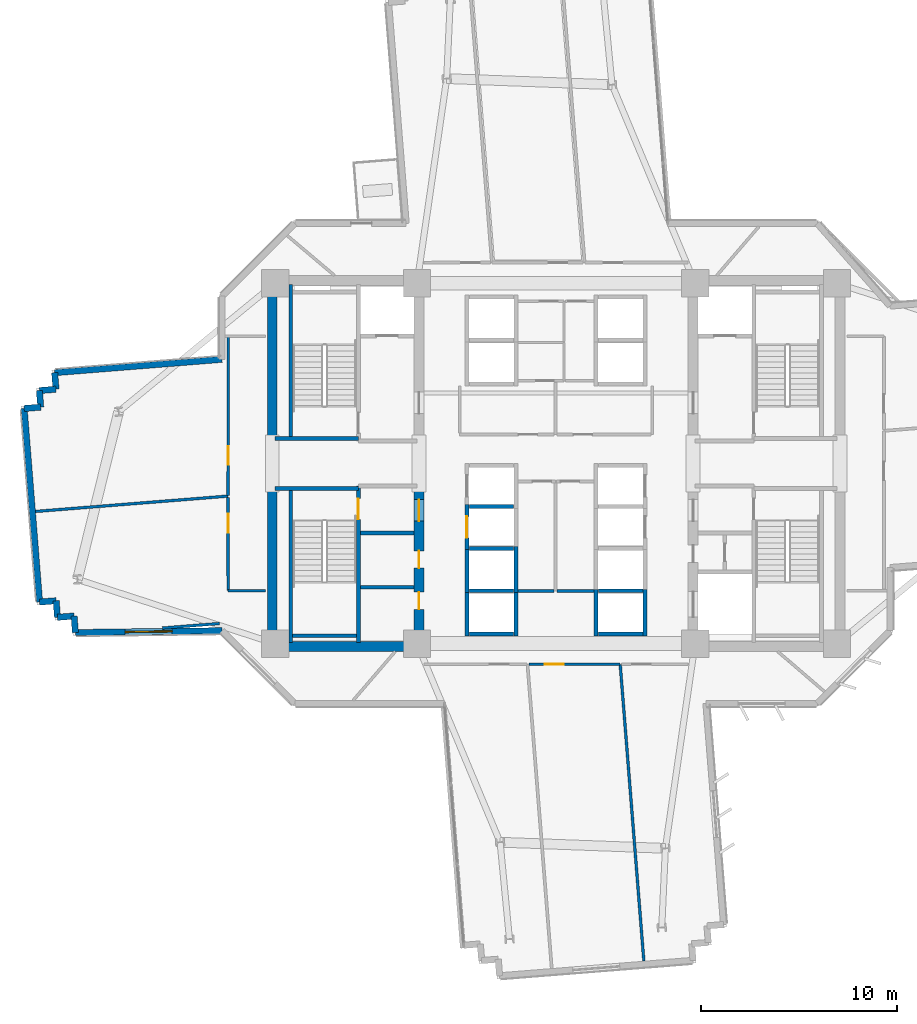
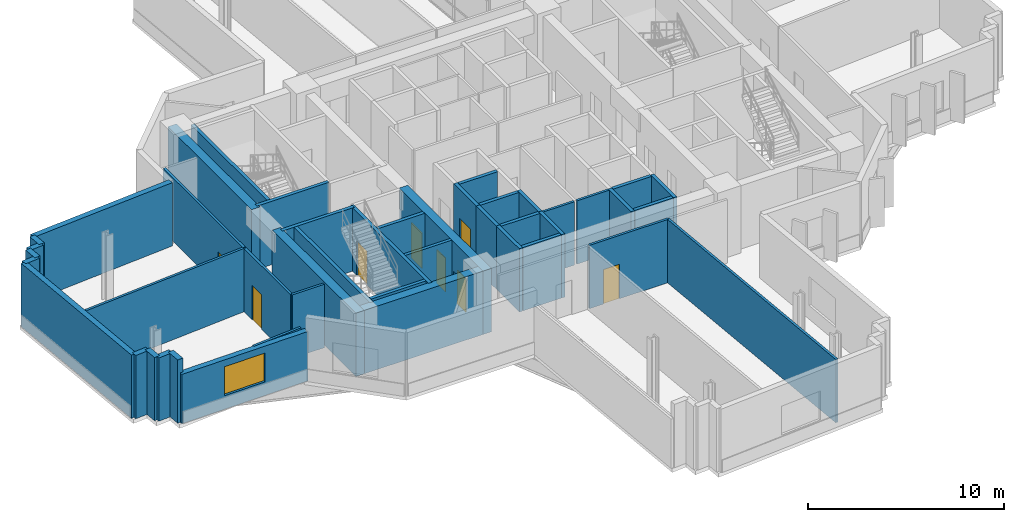
# One storey, part 6 of 15: 45 walls, 8 doors, 1 window, 9 openings.
"""IFC4 building model written with IfcOpenShell, lengths in metres."""

from ifc_helpers import new_model, si_unit, direction, frame, frame_2d, origin, place, context, subcontext, project, spatial, rectangle, extrude, source, transform, mapped, material, layer, layer_set, type_object, element, fill, save


model = new_model("IFC4")

# Units and contexts
model_context = context("Model", 3, precision=1e-05, world=origin(), true_north=direction((0.0, 1.0)))
body_context = subcontext(model_context, "Body", "Model", "MODEL_VIEW")
ifc_project = project(units=[si_unit("LENGTHUNIT", "METRE"), si_unit("AREAUNIT", "SQUARE_METRE"), si_unit("VOLUMEUNIT", "CUBIC_METRE"), si_unit("PLANEANGLEUNIT", "RADIAN"), si_unit("MASSUNIT", "GRAM", prefix="KILO")], contexts=[model_context])

# Site, building, storey
site_placement = place(None, origin())
site = spatial("IfcSite", under=ifc_project, at=site_placement, CompositionType="ELEMENT")
building_placement = place(site_placement, origin())
building = spatial("IfcBuilding", under=site, at=building_placement, Name="Zahravan Cultural Tower", CompositionType="ELEMENT")
storey_placement = place(building_placement, frame((0.0, 0.0, 87.89990234375)))
storey = spatial("IfcBuildingStorey", under=building, at=storey_placement, Name="L19", CompositionType="ELEMENT", Elevation=87.89990234375)

# Wall, openings, doors
ifc_material_1 = material(Name="Concrete C60/75", Category="concrete")
ifc_layer_1 = layer(ifc_material_1, 0.5)
ifc_layer_set_1 = layer_set([ifc_layer_1], Name="Concrete C60/75")
wall_type_1 = type_object("IfcWallType", Name="CW-SHEAR-500-C60", PredefinedType="SHEAR", material=ifc_layer_set_1)
wall_1_placement = place(storey_placement, frame((29.0, 17.39990234375, 0.0), z_axis=(0.0, 0.0, 1.0), x_axis=(0.0, 1.0, 0.0)))
wall_1 = element("IfcWall", 1, at=wall_1_placement, inside=storey, type_object=wall_type_1, Name="L19 Core Shear Wall CW-W-ES-L19", PredefinedType="SHEAR", context=body_context, shape_type="SweptSolid", body=[
    extrude(rectangle(XDim=8.550048828125, YDim=0.5, at=frame_2d((4.27490234375, 0.0))), origin(), (0.0, 0.0, 1.0), 3.9501953125),
])
opening_1_placement = place(wall_1_placement, frame((6.64990234375, 0.0, 0.0)))
opening_1 = element("IfcOpeningElement", 2, at=opening_1_placement, cuts=wall_1, Name="Opening D-L19-07", PredefinedType="OPENING", context=body_context, shape_type="SweptSolid", body=[
    extrude(rectangle(XDim=1.10009765625, YDim=2.199951171875, at=frame_2d((0.550048828125, 1.10009765625))), frame((0.0, 0.260009765625, 0.0), z_axis=(0.0, -1.0, 0.0), x_axis=(1.0, 0.0, 0.0)), (0.0, 0.0, 1.0), 0.52001953125),
])
opening_2_placement = place(wall_1_placement, frame((2.14990234375, 0.0, 0.0)))
opening_2 = element("IfcOpeningElement", 3, at=opening_2_placement, cuts=wall_1, Name="Opening D-L19-09", PredefinedType="OPENING", context=body_context, shape_type="SweptSolid", body=[
    extrude(rectangle(XDim=0.8798828125, YDim=2.10009765625, at=frame_2d((0.43994140625, 1.050048828125))), frame((0.0, 0.260009765625, 0.0), z_axis=(0.0, -1.0, 0.0), x_axis=(1.0, 0.0, 0.0)), (0.0, 0.0, 1.0), 0.52001953125),
])
opening_3_placement = place(wall_1_placement, frame((4.25, 0.0, 0.0)))
opening_3 = element("IfcOpeningElement", 4, at=opening_3_placement, cuts=wall_1, Name="Opening D-L19-10", PredefinedType="OPENING", context=body_context, shape_type="SweptSolid", body=[
    extrude(rectangle(XDim=0.8798828125, YDim=2.10009765625, at=frame_2d((0.43994140625, 1.050048828125))), frame((0.0, 0.260009765625, 0.0), z_axis=(0.0, -1.0, 0.0), x_axis=(1.0, 0.0, 0.0)), (0.0, 0.0, 1.0), 0.52001953125),
])
ifc_material_2 = material(Name="Steel ASTM A572 Grade 50", Category="steel")
door_type_1 = type_object("IfcDoorType", Name="DR-LOBBY-1100", OperationType="NOTDEFINED", PredefinedType="DOOR", material=ifc_material_2)
shared_shape_1 = source(origin(), body_context, "Body", "SweptSolid", [
    extrude(rectangle(XDim=1.10009765625, YDim=2.199951171875, at=frame_2d((0.550048828125, 1.10009765625))), frame((0.0, 0.02490234375, 0.0), z_axis=(0.0, -1.0, 0.0), x_axis=(1.0, 0.0, 0.0)), (0.0, 0.0, 1.0), 0.050048828125),
])
door_1_placement = place(opening_1_placement, origin())
door_1 = element("IfcDoor", 5, at=door_1_placement, inside=storey, type_object=door_type_1, Name="L19 Door D-L19-07", OperationType="SINGLE_SWING_LEFT", OverallHeight=2.199951171875, OverallWidth=1.10009765625, PredefinedType="DOOR", context=body_context, shape_type="MappedRepresentation", body=[
    mapped(shared_shape_1, transform((0.0, 0.0, 0.0), x_axis=(1.0, 0.0, 0.0), y_axis=(0.0, 1.0, 0.0), z_axis=(0.0, 0.0, 1.0), scale=1.0)),
])
fill(opening_1, door_1)
door_type_2 = type_object("IfcDoorType", Name="DR-SVC-880", OperationType="NOTDEFINED", PredefinedType="DOOR", material=ifc_material_2)
shared_shape_2 = source(origin(), body_context, "Body", "SweptSolid", [
    extrude(rectangle(XDim=0.8798828125, YDim=2.10009765625, at=frame_2d((0.43994140625, 1.050048828125))), frame((0.0, 0.02490234375, 0.0), z_axis=(0.0, -1.0, 0.0), x_axis=(1.0, 0.0, 0.0)), (0.0, 0.0, 1.0), 0.050048828125),
])
door_2_placement = place(opening_2_placement, origin())
door_2 = element("IfcDoor", 6, at=door_2_placement, inside=storey, type_object=door_type_2, Name="L19 Door D-L19-09", OperationType="SINGLE_SWING_LEFT", OverallHeight=2.10009765625, OverallWidth=0.8798828125, PredefinedType="DOOR", context=body_context, shape_type="MappedRepresentation", body=[
    mapped(shared_shape_2, transform((0.0, 0.0, 0.0), x_axis=(1.0, 0.0, 0.0), y_axis=(0.0, 1.0, 0.0), z_axis=(0.0, 0.0, 1.0), scale=1.0)),
])
fill(opening_2, door_2)
door_3_placement = place(opening_3_placement, origin())
door_3 = element("IfcDoor", 7, at=door_3_placement, inside=storey, type_object=door_type_2, Name="L19 Door D-L19-10", OperationType="SINGLE_SWING_RIGHT", OverallHeight=2.10009765625, OverallWidth=0.8798828125, PredefinedType="DOOR", context=body_context, shape_type="MappedRepresentation", body=[
    mapped(shared_shape_2, transform((0.0, 0.0, 0.0), x_axis=(1.0, 0.0, 0.0), y_axis=(0.0, 1.0, 0.0), z_axis=(0.0, 0.0, 1.0), scale=1.0)),
])
fill(opening_3, door_3)

# Wall, opening, window
ifc_material_3 = material(Name="Precast concrete C40/50", Category="concrete")
ifc_layer_2 = layer(ifc_material_3, 0.320068359375)
ifc_layer_set_2 = layer_set([ifc_layer_2], Name="Precast concrete C40/50")
wall_type_2 = type_object("IfcWallType", Name="EW-TC-320", PredefinedType="SOLIDWALL", material=ifc_layer_set_2)
wall_2_placement = place(storey_placement, frame((18.93994140625, 18.4580078125, 0.0), z_axis=(0.0, 0.0, 1.0), x_axis=(-0.999915877143, -0.012970683759, 0.0)))
wall_2 = element("IfcWall", 8, at=wall_2_placement, inside=storey, type_object=wall_type_2, Name="L19 Exterior Masonry Frame Wall 27", PredefinedType="SOLIDWALL", context=body_context, shape_type="SweptSolid", body=[
    extrude(rectangle(XDim=7.491455078125, YDim=0.320068359375, at=frame_2d((3.74560546875, 0.0))), origin(), (0.0, 0.0, 1.0), 3.080078125),
])
opening_4_placement = place(wall_2_placement, frame((2.5458984375, 0.0, 0.85009765625)))
opening_4 = element("IfcOpeningElement", 9, at=opening_4_placement, cuts=wall_2, Name="Opening WN-01", PredefinedType="OPENING", context=body_context, shape_type="SweptSolid", body=[
    extrude(rectangle(XDim=2.39990234375, YDim=1.800048828125, at=frame_2d((1.199951171875, 0.89990234375))), frame((0.0, 0.169921875, 0.0), z_axis=(0.0, -1.0, 0.0), x_axis=(1.0, 0.0, 0.0)), (0.0, 0.0, 1.0), 0.340087890625),
])
ifc_material_4 = material(Name="Low-E solar-control double glazing", Category="glass")
window_type = type_object("IfcWindowType", Name="WN-REC-2400X1800", PartitioningType="DOUBLE_PANEL_VERTICAL", PredefinedType="WINDOW", material=ifc_material_4)
shared_shape_3 = source(origin(), body_context, "Body", "SweptSolid", [
    extrude(rectangle(XDim=2.39990234375, YDim=1.800048828125, at=frame_2d((1.199951171875, 0.89990234375))), frame((0.0, 0.030029296875, 0.0), z_axis=(0.0, -1.0, 0.0), x_axis=(1.0, 0.0, 0.0)), (0.0, 0.0, 1.0), 0.06005859375),
])
window_placement = place(opening_4_placement, origin())
window = element("IfcWindow", 10, at=window_placement, inside=storey, type_object=window_type, Name="L19 Recessed Solar Window 08", OverallHeight=1.800048828125, OverallWidth=2.39990234375, PartitioningType="DOUBLE_PANEL_VERTICAL", PredefinedType="WINDOW", context=body_context, shape_type="MappedRepresentation", body=[
    mapped(shared_shape_3, transform((0.0, 0.0, 0.0), x_axis=(1.0, 0.0, 0.0), y_axis=(0.0, 1.0, 0.0), z_axis=(0.0, 0.0, 1.0), scale=1.0)),
])
fill(opening_4, window)

# Wall, opening, door
ifc_material_5 = material(Name="Gypsum plasterboard partition")
ifc_layer_3 = layer(ifc_material_5, 0.139892578125)
ifc_layer_set_3 = layer_set([ifc_layer_3], Name="Gypsum plasterboard partition")
wall_type_3 = type_object("IfcWallType", Name="W-PART-140", PredefinedType="PARTITIONING", material=ifc_layer_set_3)
wall_3_placement = place(storey_placement, frame((34.6162109375, 16.739990234375, 0.0), z_axis=(0.0, 0.0, 1.0), x_axis=(1.0, 0.0, 0.0)))
wall_3 = element("IfcWall", 11, at=wall_3_placement, inside=storey, type_object=wall_type_3, Name="L19 Interior Wall 089", PredefinedType="PARTITIONING", context=body_context, shape_type="SweptSolid", body=[
    extrude(rectangle(XDim=4.659912109375, YDim=0.139892578125, at=frame_2d((2.330078125, 0.0))), origin(), (0.0, 0.0, 1.0), 3.9501953125),
])
opening_5_placement = place(wall_3_placement, frame((0.816162109375, 0.0, 0.0)))
opening_5 = element("IfcOpeningElement", 12, at=opening_5_placement, cuts=wall_3, Name="Opening D-L19-27", PredefinedType="OPENING", context=body_context, shape_type="SweptSolid", body=[
    extrude(rectangle(XDim=0.949951171875, YDim=2.14990234375, at=frame_2d((0.47509765625, 1.074951171875))), frame((0.0, 0.079833984375, 0.0), z_axis=(0.0, -1.0, 0.0), x_axis=(1.0, 0.0, 0.0)), (0.0, 0.0, 1.0), 0.159912109375),
])
ifc_material_6 = material(Name="Anodised bronze-aluminium mullion", Category="aluminium")
door_type_3 = type_object("IfcDoorType", Name="DR-ROOM-950", OperationType="NOTDEFINED", PredefinedType="DOOR", material=ifc_material_6)
shared_shape_4 = source(origin(), body_context, "Body", "SweptSolid", [
    extrude(rectangle(XDim=0.949951171875, YDim=2.14990234375, at=frame_2d((0.47509765625, 1.074951171875))), frame((0.0, 0.02490234375, 0.0), z_axis=(0.0, -1.0, 0.0), x_axis=(1.0, 0.0, 0.0)), (0.0, 0.0, 1.0), 0.050048828125),
])
door_4_placement = place(opening_5_placement, origin())
door_4 = element("IfcDoor", 13, at=door_4_placement, inside=storey, type_object=door_type_3, Name="L19 Door D-L19-27", OperationType="SINGLE_SWING_LEFT", OverallHeight=2.14990234375, OverallWidth=0.949951171875, PredefinedType="DOOR", context=body_context, shape_type="MappedRepresentation", body=[
    mapped(shared_shape_4, transform((0.0, 0.0, 0.0), x_axis=(1.0, 0.0, 0.0), y_axis=(0.0, 1.0, 0.0), z_axis=(0.0, 0.0, 1.0), scale=1.0)),
])
fill(opening_5, door_4)

wall_4_placement = place(storey_placement, frame((19.25, 25.2578125, 0.0), z_axis=(0.0, 0.0, 1.0), x_axis=(0.000102701037, -0.999999994726, 0.0)))
wall_4 = element("IfcWall", 14, at=wall_4_placement, inside=storey, type_object=wall_type_3, Name="L19 Interior Wall 108", PredefinedType="PARTITIONING", context=body_context, shape_type="SweptSolid", body=[
    extrude(rectangle(XDim=4.75439453125, YDim=0.139892578125, at=frame_2d((2.377197265625, 0.0))), origin(), (0.0, 0.0, 1.0), 3.9501953125),
])
opening_6_placement = place(wall_4_placement, frame((0.8369140625, 0.0, 0.0)))
opening_6 = element("IfcOpeningElement", 15, at=opening_6_placement, cuts=wall_4, Name="Opening D-L19-25", PredefinedType="OPENING", context=body_context, shape_type="SweptSolid", body=[
    extrude(rectangle(XDim=0.949951171875, YDim=2.14990234375, at=frame_2d((0.47509765625, 1.074951171875))), frame((0.0, 0.079833984375, 0.0), z_axis=(0.0, -1.0, 0.0), x_axis=(1.0, 0.0, 0.0)), (0.0, 0.0, 1.0), 0.159912109375),
])
door_5_placement = place(opening_6_placement, origin())
door_5 = element("IfcDoor", 16, at=door_5_placement, inside=storey, type_object=door_type_3, Name="L19 Door D-L19-25", OperationType="SINGLE_SWING_LEFT", OverallHeight=2.14990234375, OverallWidth=0.949951171875, PredefinedType="DOOR", context=body_context, shape_type="MappedRepresentation", body=[
    mapped(shared_shape_4, transform((0.0, 0.0, 0.0), x_axis=(1.0, 0.0, 0.0), y_axis=(0.0, 1.0, 0.0), z_axis=(0.0, 0.0, 1.0), scale=1.0)),
])
fill(opening_6, door_5)

wall_5_placement = place(storey_placement, frame((19.252685546875, 33.497314453125, 0.0), z_axis=(0.0, 0.0, 1.0), x_axis=(-0.000329746078, -0.999999945634, 0.0)))
wall_5 = element("IfcWall", 17, at=wall_5_placement, inside=storey, type_object=wall_type_3, Name="L19 Interior Wall 110", PredefinedType="PARTITIONING", context=body_context, shape_type="SweptSolid", body=[
    extrude(rectangle(XDim=8.144287109375, YDim=0.139892578125, at=frame_2d((4.072265625, 0.0))), origin(), (0.0, 0.0, 1.0), 3.9501953125),
])
opening_7_placement = place(wall_5_placement, frame((5.611328125, 0.0, 0.0)))
opening_7 = element("IfcOpeningElement", 18, at=opening_7_placement, cuts=wall_5, Name="Opening D-L19-24", PredefinedType="OPENING", context=body_context, shape_type="SweptSolid", body=[
    extrude(rectangle(XDim=0.949951171875, YDim=2.14990234375, at=frame_2d((0.47509765625, 1.074951171875))), frame((0.0, 0.079833984375, 0.0), z_axis=(0.0, -1.0, 0.0), x_axis=(1.0, 0.0, 0.0)), (0.0, 0.0, 1.0), 0.159912109375),
])
door_6_placement = place(opening_7_placement, origin())
door_6 = element("IfcDoor", 19, at=door_6_placement, inside=storey, type_object=door_type_3, Name="L19 Door D-L19-24", OperationType="SINGLE_SWING_RIGHT", OverallHeight=2.14990234375, OverallWidth=0.949951171875, PredefinedType="DOOR", context=body_context, shape_type="MappedRepresentation", body=[
    mapped(shared_shape_4, transform((0.0, 0.0, 0.0), x_axis=(1.0, 0.0, 0.0), y_axis=(0.0, 1.0, 0.0), z_axis=(0.0, 0.0, 1.0), scale=1.0)),
])
fill(opening_7, door_6)

ifc_material_7 = material(Name="Concrete C45/55", Category="concrete")
ifc_layer_4 = layer(ifc_material_7, 0.199951171875)
ifc_layer_set_4 = layer_set([ifc_layer_4], Name="Concrete C45/55")
wall_type_4 = type_object("IfcWallType", Name="W-SHAFT-200", PredefinedType="SOLIDWALL", material=ifc_layer_set_4)
wall_6_placement = place(storey_placement, frame((25.89990234375, 17.85009765625, 0.0), z_axis=(0.0, 0.0, 1.0), x_axis=(0.0, 1.0, 0.0)))
wall_6 = element("IfcWall", 20, at=wall_6_placement, inside=storey, type_object=wall_type_4, Name="L19 Interior Wall 005", PredefinedType="SOLIDWALL", context=body_context, shape_type="SweptSolid", body=[
    extrude(rectangle(XDim=8.0, YDim=0.199951171875, at=frame_2d((4.0, 0.0))), origin(), (0.0, 0.0, 1.0), 3.9501953125),
])
opening_8_placement = place(wall_6_placement, frame((6.300048828125, 0.0, 0.0)))
opening_8 = element("IfcOpeningElement", 21, at=opening_8_placement, cuts=wall_6, Name="Opening D-L19-04", PredefinedType="OPENING", context=body_context, shape_type="SweptSolid", body=[
    extrude(rectangle(XDim=1.050048828125, YDim=2.14990234375, at=frame_2d((0.52490234375, 1.074951171875))), frame((0.0, 0.10986328125, 0.0), z_axis=(0.0, -1.0, 0.0), x_axis=(1.0, 0.0, 0.0)), (0.0, 0.0, 1.0), 0.219970703125),
])
door_type_4 = type_object("IfcDoorType", Name="DR-STAIR-1050", OperationType="NOTDEFINED", PredefinedType="DOOR", material=ifc_material_2)
shared_shape_5 = source(origin(), body_context, "Body", "SweptSolid", [
    extrude(rectangle(XDim=1.050048828125, YDim=2.14990234375, at=frame_2d((0.52490234375, 1.074951171875))), frame((0.0, 0.02490234375, 0.0), z_axis=(0.0, -1.0, 0.0), x_axis=(1.0, 0.0, 0.0)), (0.0, 0.0, 1.0), 0.050048828125),
])
door_7_placement = place(opening_8_placement, origin())
door_7 = element("IfcDoor", 22, at=door_7_placement, inside=storey, type_object=door_type_4, Name="L19 Door D-L19-04", OperationType="SINGLE_SWING_RIGHT", OverallHeight=2.14990234375, OverallWidth=1.050048828125, PredefinedType="DOOR", context=body_context, shape_type="MappedRepresentation", body=[
    mapped(shared_shape_5, transform((0.0, 0.0, 0.0), x_axis=(1.0, 0.0, 0.0), y_axis=(0.0, 1.0, 0.0), z_axis=(0.0, 0.0, 1.0), scale=1.0)),
])
fill(opening_8, door_7)

wall_7_placement = place(storey_placement, frame((31.449951171875, 22.60009765625, 0.0), z_axis=(0.0, 0.0, 1.0), x_axis=(0.0, 1.0, 0.0)))
wall_7 = element("IfcWall", 23, at=wall_7_placement, inside=storey, type_object=wall_type_4, Name="L19 Interior Wall 060", PredefinedType="SOLIDWALL", context=body_context, shape_type="SweptSolid", body=[
    extrude(rectangle(XDim=2.2998046875, YDim=0.199951171875, at=frame_2d((1.14990234375, 0.0))), origin(), (0.0, 0.0, 1.0), 3.9501953125),
])
opening_9_placement = place(wall_7_placement, frame((0.60009765625, 0.0, 0.0)))
opening_9 = element("IfcOpeningElement", 24, at=opening_9_placement, cuts=wall_7, Name="Opening LD-L19-05", PredefinedType="OPENING", context=body_context, shape_type="SweptSolid", body=[
    extrude(rectangle(XDim=1.10009765625, YDim=2.14990234375, at=frame_2d((0.550048828125, 1.074951171875))), frame((0.0, 0.10986328125, 0.0), z_axis=(0.0, -1.0, 0.0), x_axis=(1.0, 0.0, 0.0)), (0.0, 0.0, 1.0), 0.219970703125),
])
door_type_5 = type_object("IfcDoorType", Name="DR-LIFT-1100", OperationType="DOUBLE_DOOR_SLIDING", PredefinedType="DOOR", material=ifc_material_2)
shared_shape_6 = source(origin(), body_context, "Body", "SweptSolid", [
    extrude(rectangle(XDim=1.10009765625, YDim=2.14990234375, at=frame_2d((0.550048828125, 1.074951171875))), frame((0.0, 0.02490234375, 0.0), z_axis=(0.0, -1.0, 0.0), x_axis=(1.0, 0.0, 0.0)), (0.0, 0.0, 1.0), 0.050048828125),
])
door_8_placement = place(opening_9_placement, origin())
door_8 = element("IfcDoor", 25, at=door_8_placement, inside=storey, type_object=door_type_5, Name="L19 Door LD-L19-05", OperationType="DOUBLE_DOOR_SLIDING", OverallHeight=2.14990234375, OverallWidth=1.10009765625, PredefinedType="DOOR", context=body_context, shape_type="MappedRepresentation", body=[
    mapped(shared_shape_6, transform((0.0, 0.0, 0.0), x_axis=(1.0, 0.0, 0.0), y_axis=(0.0, 1.0, 0.0), z_axis=(0.0, 0.0, 1.0), scale=1.0)),
])
fill(opening_9, door_8)

# Walls
shared_shape_7 = source(origin(), body_context, "Body", "SweptSolid", [
    extrude(rectangle(XDim=8.550048828125, YDim=0.5, at=frame_2d((4.27490234375, 0.0))), origin(), (0.0, 0.0, 1.0), 3.9501953125),
])
for number, where, z_axis, x_axis, name in (
    (26, (21.5, 17.39990234375, 0.0), (0.0, 0.0, 1.0), (0.0, 1.0, 0.0), "L19 Core Shear Wall CW-W-WS-L19"),
    (27, (21.5, 28.050048828125, 0.0), (0.0, 0.0, 1.0), (0.0, 1.0, 0.0), "L19 Core Shear Wall CW-W-WN-L19"),
):
    element("IfcWall", number, at=place(storey_placement, frame(where, z_axis=z_axis, x_axis=x_axis)), inside=storey, type_object=wall_type_1, Name=name, PredefinedType="SHEAR", context=body_context, shape_type="MappedRepresentation", body=[
        mapped(shared_shape_7, transform((0.0, 0.0, 0.0), x_axis=(1.0, 0.0, 0.0), y_axis=(0.0, 1.0, 0.0), z_axis=(0.0, 0.0, 1.0), scale=1.0)),
    ])
shared_shape_8 = source(origin(), body_context, "Body", "SweptSolid", [
    extrude(rectangle(XDim=7.0, YDim=0.5, at=frame_2d((3.5, 0.0))), origin(), (0.0, 0.0, 1.0), 3.9501953125),
])
wall_8_placement = place(storey_placement, frame((21.75, 17.64990234375, 0.0), z_axis=(0.0, 0.0, 1.0), x_axis=(1.0, 0.0, 0.0)))
element("IfcWall", 28, at=wall_8_placement, inside=storey, type_object=wall_type_1, Name="L19 Core Shear Wall CW-W-S-L19", PredefinedType="SHEAR", context=body_context, shape_type="MappedRepresentation", body=[
    mapped(shared_shape_8, transform((0.0, 0.0, 0.0), x_axis=(1.0, 0.0, 0.0), y_axis=(0.0, 1.0, 0.0), z_axis=(0.0, 0.0, 1.0), scale=1.0)),
])
shared_shape_9 = source(origin(), body_context, "Body", "SweptSolid", [
    extrude(rectangle(XDim=0.85009765625, YDim=0.320068359375, at=frame_2d((0.425048828125, 0.0))), origin(), (0.0, 0.0, 1.0), 3.9501953125),
])
for number, where, z_axis, x_axis, name in (
    (29, (11.381591796875, 19.2080078125, 0.0), (0.0, 0.0, 1.0), (-0.996830783344, -0.079551174585, 0.0), "L19 Exterior Masonry Frame Wall 29"),
    (30, (10.5341796875, 19.140380859375, 0.0), (0.0, 0.0, 1.0), (-0.079551174585, 0.996830783344, 0.0), "L19 Exterior Masonry Frame Wall 30"),
    (31, (9.677978515625, 29.87646484375, 0.0), (0.0, 0.0, 1.0), (-0.079551174585, 0.996830783344, 0.0), "L19 Exterior Masonry Frame Wall 34"),
    (32, (9.6103515625, 30.723876953125, 0.0), (0.0, 0.0, 1.0), (0.99685351678, 0.079265793901, 0.0), "L19 Exterior Masonry Frame Wall 35"),
    (33, (10.457763671875, 30.791259765625, 0.0), (0.0, 0.0, 1.0), (-0.079551174585, 0.996830783344, 0.0), "L19 Exterior Masonry Frame Wall 36"),
):
    element("IfcWall", number, at=place(storey_placement, frame(where, z_axis=z_axis, x_axis=x_axis)), inside=storey, type_object=wall_type_2, Name=name, PredefinedType="SOLIDWALL", context=body_context, shape_type="MappedRepresentation", body=[
        mapped(shared_shape_9, transform((0.0, 0.0, 0.0), x_axis=(1.0, 0.0, 0.0), y_axis=(0.0, 1.0, 0.0), z_axis=(0.0, 0.0, 1.0), scale=1.0)),
    ])
shared_shape_10 = source(origin(), body_context, "Body", "SweptSolid", [
    extrude(rectangle(XDim=0.849853515625, YDim=0.320068359375, at=frame_2d((0.4248046875, 0.0))), origin(), (0.0, 0.0, 1.0), 3.9501953125),
])
for number, where, z_axis, x_axis, name in (
    (34, (11.44921875, 18.36083984375, 0.0), (0.0, 0.0, 1.0), (-0.079573954853, 0.996828965123, 0.0), "L19 Exterior Masonry Frame Wall 28"),
    (35, (10.466552734375, 19.98779296875, 0.0), (0.0, 0.0, 1.0), (-0.996851711541, -0.079288493483, 0.0), "L19 Exterior Masonry Frame Wall 31"),
    (36, (8.830810546875, 29.808837890625, 0.0), (0.0, 0.0, 1.0), (0.996828965123, 0.079573954853, 0.0), "L19 Exterior Masonry Frame Wall 33"),
):
    element("IfcWall", number, at=place(storey_placement, frame(where, z_axis=z_axis, x_axis=x_axis)), inside=storey, type_object=wall_type_2, Name=name, PredefinedType="SOLIDWALL", context=body_context, shape_type="MappedRepresentation", body=[
        mapped(shared_shape_10, transform((0.0, 0.0, 0.0), x_axis=(1.0, 0.0, 0.0), y_axis=(0.0, 1.0, 0.0), z_axis=(0.0, 0.0, 1.0), scale=1.0)),
    ])
shared_shape_11 = source(origin(), body_context, "Body", "SweptSolid", [
    extrude(rectangle(XDim=9.919921875, YDim=0.320068359375, at=frame_2d((4.9599609375, 0.0))), origin(), (0.0, 0.0, 1.0), 3.9501953125),
])
wall_9_placement = place(storey_placement, frame((9.619384765625, 19.92041015625, 0.0), z_axis=(0.0, 0.0, 1.0), x_axis=(-0.07949480177, 0.996835280521, 0.0)))
element("IfcWall", 37, at=wall_9_placement, inside=storey, type_object=wall_type_2, Name="L19 Exterior Masonry Frame Wall 32", PredefinedType="SOLIDWALL", context=body_context, shape_type="MappedRepresentation", body=[
    mapped(shared_shape_11, transform((0.0, 0.0, 0.0), x_axis=(1.0, 0.0, 0.0), y_axis=(0.0, 1.0, 0.0), z_axis=(0.0, 0.0, 1.0), scale=1.0)),
])
shared_shape_12 = source(origin(), body_context, "Body", "SweptSolid", [
    extrude(rectangle(XDim=8.576904296875, YDim=0.320068359375, at=frame_2d((4.28857421875, 0.0))), origin(), (0.0, 0.0, 1.0), 3.9501953125),
])
wall_10_placement = place(storey_placement, frame((10.39013671875, 31.638671875, 0.0), z_axis=(0.0, 0.0, 1.0), x_axis=(0.996834708052, 0.07950198, 0.0)))
element("IfcWall", 38, at=wall_10_placement, inside=storey, type_object=wall_type_2, Name="L19 Exterior Masonry Frame Wall 37", PredefinedType="SOLIDWALL", context=body_context, shape_type="MappedRepresentation", body=[
    mapped(shared_shape_12, transform((0.0, 0.0, 0.0), x_axis=(1.0, 0.0, 0.0), y_axis=(0.0, 1.0, 0.0), z_axis=(0.0, 0.0, 1.0), scale=1.0)),
])
shared_shape_13 = source(origin(), body_context, "Body", "SweptSolid", [
    extrude(rectangle(XDim=7.869873046875, YDim=0.199951171875, at=frame_2d((3.93505859375, 0.0))), origin(), (0.0, 0.0, 1.0), 3.9501953125),
])
for number, where, z_axis, x_axis, name in (
    (39, (22.449951171875, 17.85009765625, 0.0), (0.0, 0.0, 1.0), (0.0, 1.0, 0.0), "L19 Interior Wall 001"),
    (40, (22.449951171875, 28.280029296875, 0.0), (0.0, 0.0, 1.0), (0.0, 1.0, 0.0), "L19 Interior Wall 002"),
):
    element("IfcWall", number, at=place(storey_placement, frame(where, z_axis=z_axis, x_axis=x_axis)), inside=storey, type_object=wall_type_4, Name=name, PredefinedType="SOLIDWALL", context=body_context, shape_type="MappedRepresentation", body=[
        mapped(shared_shape_13, transform((0.0, 0.0, 0.0), x_axis=(1.0, 0.0, 0.0), y_axis=(0.0, 1.0, 0.0), z_axis=(0.0, 0.0, 1.0), scale=1.0)),
    ])
shared_shape_14 = source(origin(), body_context, "Body", "SweptSolid", [
    extrude(rectangle(XDim=4.25, YDim=0.199951171875, at=frame_2d((2.125, 0.0))), origin(), (0.0, 0.0, 1.0), 3.9501953125),
])
for number, where, z_axis, x_axis, name in (
    (41, (21.64990234375, 25.715087890625, 0.0), (0.0, 0.0, 1.0), (1.0, 0.0, 0.0), "L19 Interior Wall 009"),
    (42, (21.64990234375, 28.284912109375, 0.0), (0.0, 0.0, 1.0), (1.0, 0.0, 0.0), "L19 Interior Wall 011"),
):
    element("IfcWall", number, at=place(storey_placement, frame(where, z_axis=z_axis, x_axis=x_axis)), inside=storey, type_object=wall_type_4, Name=name, PredefinedType="SOLIDWALL", context=body_context, shape_type="MappedRepresentation", body=[
        mapped(shared_shape_14, transform((0.0, 0.0, 0.0), x_axis=(1.0, 0.0, 0.0), y_axis=(0.0, 1.0, 0.0), z_axis=(0.0, 0.0, 1.0), scale=1.0)),
    ])
shared_shape_15 = source(origin(), body_context, "Body", "SweptSolid", [
    extrude(rectangle(XDim=3.25, YDim=0.199951171875, at=frame_2d((1.625, 0.0))), origin(), (0.0, 0.0, 1.0), 3.9501953125),
])
wall_11_placement = place(storey_placement, frame((22.550048828125, 18.199951171875, 0.0), z_axis=(0.0, 0.0, 1.0), x_axis=(1.0, 0.0, 0.0)))
element("IfcWall", 43, at=wall_11_placement, inside=storey, type_object=wall_type_4, Name="L19 Interior Wall 019", PredefinedType="SOLIDWALL", context=body_context, shape_type="MappedRepresentation", body=[
    mapped(shared_shape_15, transform((0.0, 0.0, 0.0), x_axis=(1.0, 0.0, 0.0), y_axis=(0.0, 1.0, 0.0), z_axis=(0.0, 0.0, 1.0), scale=1.0)),
])
shared_shape_16 = source(origin(), body_context, "Body", "SweptSolid", [
    extrude(rectangle(XDim=2.75, YDim=0.199951171875, at=frame_2d((1.375, 0.0))), origin(), (0.0, 0.0, 1.0), 3.9501953125),
])
wall_12_placement = place(storey_placement, frame((26.0, 23.449951171875, 0.0), z_axis=(0.0, 0.0, 1.0), x_axis=(1.0, 0.0, 0.0)))
element("IfcWall", 44, at=wall_12_placement, inside=storey, type_object=wall_type_4, Name="L19 Interior Wall 023", PredefinedType="SOLIDWALL", context=body_context, shape_type="MappedRepresentation", body=[
    mapped(shared_shape_16, transform((0.0, 0.0, 0.0), x_axis=(1.0, 0.0, 0.0), y_axis=(0.0, 1.0, 0.0), z_axis=(0.0, 0.0, 1.0), scale=1.0)),
])
ifc_layer_5 = layer(ifc_material_5, 0.179931640625)
ifc_layer_set_5 = layer_set([ifc_layer_5], Name="Gypsum plasterboard partition")
wall_type_5 = type_object("IfcWallType", Name="W-COMP-180", PredefinedType="PARTITIONING", material=ifc_layer_set_5)
shared_shape_17 = source(origin(), body_context, "Body", "SweptSolid", [
    extrude(rectangle(XDim=2.75, YDim=0.179931640625, at=frame_2d((1.375, 0.0))), origin(), (0.0, 0.0, 1.0), 3.9501953125),
])
wall_13_placement = place(storey_placement, frame((26.0, 20.679931640625, 0.0), z_axis=(0.0, 0.0, 1.0), x_axis=(1.0, 0.0, 0.0)))
element("IfcWall", 45, at=wall_13_placement, inside=storey, type_object=wall_type_5, Name="L19 Interior Wall 026", PredefinedType="PARTITIONING", context=body_context, shape_type="MappedRepresentation", body=[
    mapped(shared_shape_17, transform((0.0, 0.0, 0.0), x_axis=(1.0, 0.0, 0.0), y_axis=(0.0, 1.0, 0.0), z_axis=(0.0, 0.0, 1.0), scale=1.0)),
])
shared_shape_18 = source(origin(), body_context, "Body", "SweptSolid", [
    extrude(rectangle(XDim=2.260009765625, YDim=0.199951171875, at=frame_2d((1.1298828125, 0.0))), origin(), (0.0, 0.0, 1.0), 3.9501953125),
])
for number, where, z_axis, x_axis, name in (
    (46, (31.570068359375, 20.5, 0.0), (0.0, 0.0, 1.0), (1.0, 0.0, 0.0), "L19 Interior Wall 044"),
    (47, (31.570068359375, 22.64990234375, 0.0), (0.0, 0.0, 1.0), (1.0, 0.0, 0.0), "L19 Interior Wall 045"),
    (48, (31.570068359375, 18.300048828125, 0.0), (0.0, 0.0, 1.0), (1.0, 0.0, 0.0), "L19 Interior Wall 048"),
    (49, (38.169921875, 20.5, 0.0), (0.0, 0.0, 1.0), (1.0, 0.0, 0.0), "L19 Interior Wall 051"),
    (50, (38.169921875, 18.300048828125, 0.0), (0.0, 0.0, 1.0), (1.0, 0.0, 0.0), "L19 Interior Wall 055"),
    (51, (31.570068359375, 24.800048828125, 0.0), (0.0, 0.0, 1.0), (1.0, 0.0, 0.0), "L19 Interior Wall 058"),
):
    element("IfcWall", number, at=place(storey_placement, frame(where, z_axis=z_axis, x_axis=x_axis)), inside=storey, type_object=wall_type_4, Name=name, PredefinedType="SOLIDWALL", context=body_context, shape_type="MappedRepresentation", body=[
        mapped(shared_shape_18, transform((0.0, 0.0, 0.0), x_axis=(1.0, 0.0, 0.0), y_axis=(0.0, 1.0, 0.0), z_axis=(0.0, 0.0, 1.0), scale=1.0)),
    ])
shared_shape_19 = source(origin(), body_context, "Body", "SweptSolid", [
    extrude(rectangle(XDim=2.35009765625, YDim=0.199951171875, at=frame_2d((1.175048828125, 0.0))), origin(), (0.0, 0.0, 1.0), 3.9501953125),
])
for number, where, z_axis, x_axis, name in (
    (52, (31.449951171875, 20.39990234375, 0.0), (0.0, 0.0, 1.0), (0.0, 1.0, 0.0), "L19 Interior Wall 042"),
    (53, (33.949951171875, 20.39990234375, 0.0), (0.0, 0.0, 1.0), (0.0, 1.0, 0.0), "L19 Interior Wall 043"),
    (54, (31.449951171875, 18.199951171875, 0.0), (0.0, 0.0, 1.0), (0.0, 1.0, 0.0), "L19 Interior Wall 046"),
    (55, (33.949951171875, 18.199951171875, 0.0), (0.0, 0.0, 1.0), (0.0, 1.0, 0.0), "L19 Interior Wall 047"),
    (56, (38.050048828125, 18.199951171875, 0.0), (0.0, 0.0, 1.0), (0.0, 1.0, 0.0), "L19 Interior Wall 053"),
    (57, (40.550048828125, 18.199951171875, 0.0), (0.0, 0.0, 1.0), (0.0, 1.0, 0.0), "L19 Interior Wall 054"),
):
    element("IfcWall", number, at=place(storey_placement, frame(where, z_axis=z_axis, x_axis=x_axis)), inside=storey, type_object=wall_type_4, Name=name, PredefinedType="SOLIDWALL", context=body_context, shape_type="MappedRepresentation", body=[
        mapped(shared_shape_19, transform((0.0, 0.0, 0.0), x_axis=(1.0, 0.0, 0.0), y_axis=(0.0, 1.0, 0.0), z_axis=(0.0, 0.0, 1.0), scale=1.0)),
    ])
shared_shape_20 = source(origin(), body_context, "Body", "SweptSolid", [
    extrude(rectangle(XDim=1.840087890625, YDim=0.139892578125, at=frame_2d((0.919921875, 0.0))), origin(), (0.0, 0.0, 1.0), 3.9501953125),
])
wall_14_placement = place(storey_placement, frame((35.89501953125, 20.489990234375, 0.0), z_axis=(0.0, 0.0, 1.0), x_axis=(-1.0, 0.0, 0.0)))
element("IfcWall", 58, at=wall_14_placement, inside=storey, type_object=wall_type_3, Name="L19 Interior Wall 077", PredefinedType="PARTITIONING", context=body_context, shape_type="MappedRepresentation", body=[
    mapped(shared_shape_20, transform((0.0, 0.0, 0.0), x_axis=(1.0, 0.0, 0.0), y_axis=(0.0, 1.0, 0.0), z_axis=(0.0, 0.0, 1.0), scale=1.0)),
])
shared_shape_21 = source(origin(), body_context, "Body", "SweptSolid", [
    extrude(rectangle(XDim=1.900146484375, YDim=0.139892578125, at=frame_2d((0.9501953125, 0.0))), origin(), (0.0, 0.0, 1.0), 3.9501953125),
])
wall_15_placement = place(storey_placement, frame((37.945068359375, 20.489990234375, 0.0), z_axis=(0.0, 0.0, 1.0), x_axis=(-1.0, 0.0, 0.0)))
element("IfcWall", 59, at=wall_15_placement, inside=storey, type_object=wall_type_3, Name="L19 Interior Wall 079", PredefinedType="PARTITIONING", context=body_context, shape_type="MappedRepresentation", body=[
    mapped(shared_shape_21, transform((0.0, 0.0, 0.0), x_axis=(1.0, 0.0, 0.0), y_axis=(0.0, 1.0, 0.0), z_axis=(0.0, 0.0, 1.0), scale=1.0)),
])
shared_shape_22 = source(origin(), body_context, "Body", "SweptSolid", [
    extrude(rectangle(XDim=15.20703125, YDim=0.139892578125, at=frame_2d((7.603515625, 0.0))), origin(), (0.0, 0.0, 1.0), 3.9501953125),
])
wall_16_placement = place(storey_placement, frame((39.276123046875, 16.739990234375, 0.0), z_axis=(0.0, 0.0, 1.0), x_axis=(0.07950146843, -0.996834748851, 0.0)))
element("IfcWall", 60, at=wall_16_placement, inside=storey, type_object=wall_type_3, Name="L19 Interior Wall 090", PredefinedType="PARTITIONING", context=body_context, shape_type="MappedRepresentation", body=[
    mapped(shared_shape_22, transform((0.0, 0.0, 0.0), x_axis=(1.0, 0.0, 0.0), y_axis=(0.0, 1.0, 0.0), z_axis=(0.0, 0.0, 1.0), scale=1.0)),
])
shared_shape_23 = source(origin(), body_context, "Body", "SweptSolid", [
    extrude(rectangle(XDim=9.865478515625, YDim=0.139892578125, at=frame_2d((4.9326171875, 0.0))), origin(), (0.0, 0.0, 1.0), 3.9501953125),
])
wall_17_placement = place(storey_placement, frame((9.415771484375, 24.548583984375, 0.0), z_axis=(0.0, 0.0, 1.0), x_axis=(0.996833900052, 0.079512110446, 0.0)))
element("IfcWall", 61, at=wall_17_placement, inside=storey, type_object=wall_type_3, Name="L19 Interior Wall 107", PredefinedType="PARTITIONING", context=body_context, shape_type="MappedRepresentation", body=[
    mapped(shared_shape_23, transform((0.0, 0.0, 0.0), x_axis=(1.0, 0.0, 0.0), y_axis=(0.0, 1.0, 0.0), z_axis=(0.0, 0.0, 1.0), scale=1.0)),
])
shared_shape_24 = source(origin(), body_context, "Body", "SweptSolid", [
    extrude(rectangle(XDim=2.920654296875, YDim=0.139892578125, at=frame_2d((1.46044921875, 0.0))), origin(), (0.0, 0.0, 1.0), 3.080078125),
])
wall_18_placement = place(storey_placement, frame((18.802734375, 18.824951171875, 0.0), z_axis=(0.0, 0.0, 1.0), x_axis=(-0.996855023767, -0.079246839625, 0.0)))
element("IfcWall", 62, at=wall_18_placement, inside=storey, type_object=wall_type_3, Name="L19 Interior Wall 106", PredefinedType="PARTITIONING", context=body_context, shape_type="MappedRepresentation", body=[
    mapped(shared_shape_24, transform((0.0, 0.0, 0.0), x_axis=(1.0, 0.0, 0.0), y_axis=(0.0, 1.0, 0.0), z_axis=(0.0, 0.0, 1.0), scale=1.0)),
])
shared_shape_25 = source(origin(), body_context, "Body", "SweptSolid", [
    extrude(rectangle(XDim=1.89892578125, YDim=0.139892578125, at=frame_2d((0.949462890625, 0.0))), origin(), (0.0, 0.0, 1.0), 3.9501953125),
])
wall_19_placement = place(storey_placement, frame((19.25048828125, 20.50341796875, 0.0), z_axis=(0.0, 0.0, 1.0), x_axis=(0.999999991735, 0.000128567754, 0.0)))
element("IfcWall", 63, at=wall_19_placement, inside=storey, type_object=wall_type_3, Name="L19 Interior Wall 109", PredefinedType="PARTITIONING", context=body_context, shape_type="MappedRepresentation", body=[
    mapped(shared_shape_25, transform((0.0, 0.0, 0.0), x_axis=(1.0, 0.0, 0.0), y_axis=(0.0, 1.0, 0.0), z_axis=(0.0, 0.0, 1.0), scale=1.0)),
])

save(model, "model.ifc")
